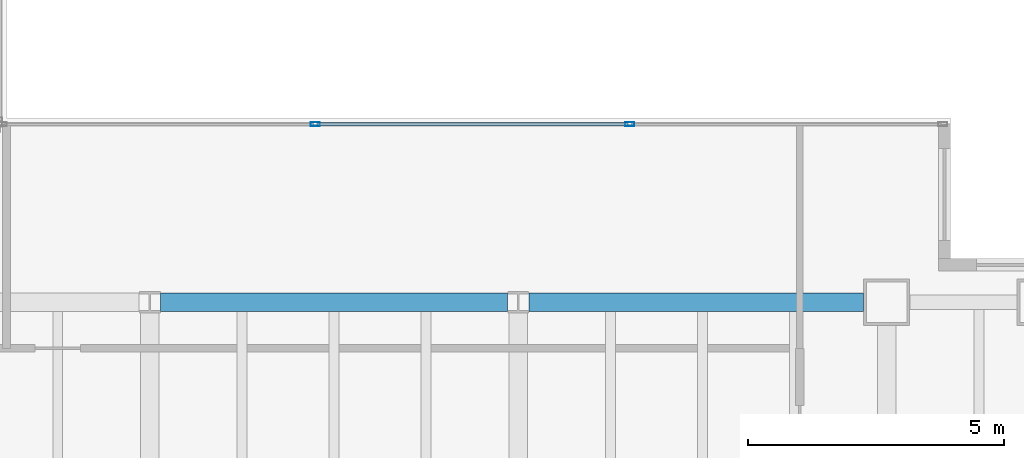
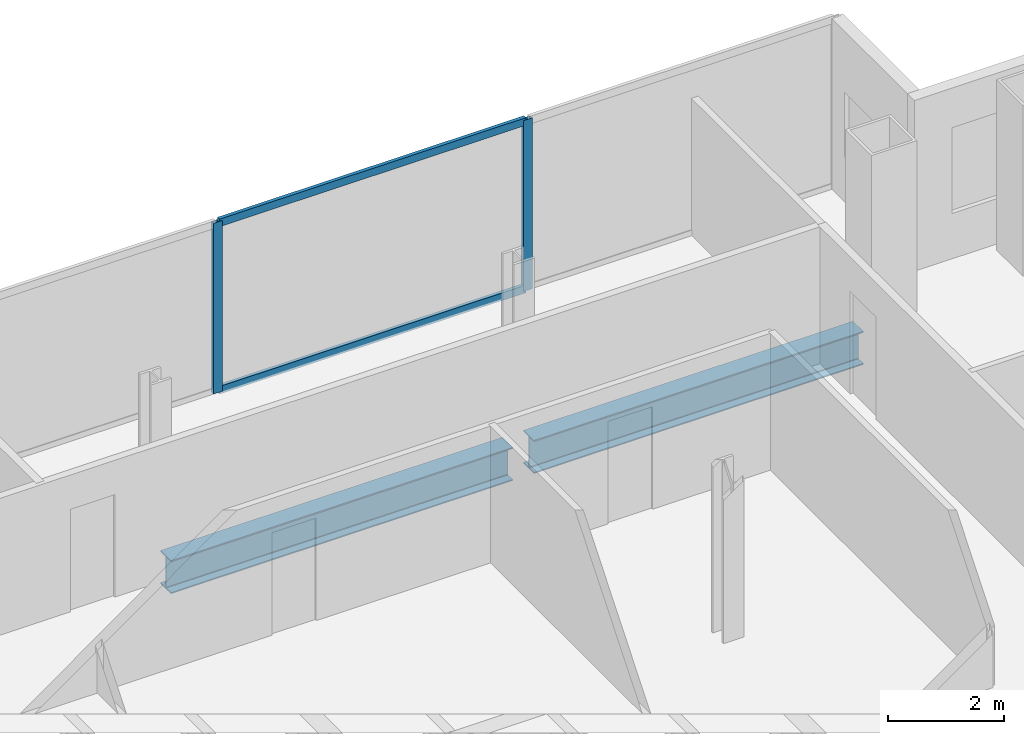
# One storey, part 14 of 24: 4 members, 2 beams, 1 element without a shape of its own.
"""IFC4 building model written with IfcOpenShell, lengths in metres."""

from ifc_helpers import new_model, si_unit, direction, frame, origin, origin_2d, place, context, subcontext, project, spatial, hollow_rectangle, i_section, extrude, material, material_profile, profile_set, type_object, element, aggregate, save


model = new_model("IFC4")

# Units and contexts
model_context = context("Model", 3, precision=1e-05, world=origin(), true_north=direction((0.0, 1.0)))
body_context = subcontext(model_context, "Body", "Model", "MODEL_VIEW")
ifc_project = project(units=[si_unit("LENGTHUNIT", "METRE"), si_unit("AREAUNIT", "SQUARE_METRE"), si_unit("VOLUMEUNIT", "CUBIC_METRE"), si_unit("PLANEANGLEUNIT", "RADIAN"), si_unit("MASSUNIT", "GRAM", prefix="KILO")], contexts=[model_context])

# Site, building, storey
site_placement = place(None, origin())
site = spatial("IfcSite", under=ifc_project, at=site_placement, CompositionType="ELEMENT")
building_placement = place(site_placement, origin())
building = spatial("IfcBuilding", under=site, at=building_placement, Name="Cobrela Telecom Tower", CompositionType="ELEMENT")
storey_placement = place(building_placement, frame((0.0, 0.0, 121.449951171875)))
storey = spatial("IfcBuildingStorey", under=building, at=storey_placement, Name="L30", CompositionType="ELEMENT", Elevation=121.449951171875)

# Beams
ifc_material_1 = material(Name="Steel ASTM A992 Grade 50", Category="steel")
ifc_material_profile_1 = material_profile(ifc_material_1, i_section(OverallWidth=0.35595703125, OverallDepth=0.696044921875, WebThickness=0.015380859375, FlangeThickness=0.024658203125, FilletRadius=0.01806640625, at=origin_2d()), Name="W27X146")
ifc_profile_set_1 = profile_set([ifc_material_profile_1], Name="Steel ASTM A992 Grade 50")
beam_type = type_object("IfcBeamType", Name="BM-GIRD-05", PredefinedType="USERDEFINED", material=ifc_profile_set_1)
beam_1_placement = place(storey_placement, frame((29.009521484375, 21.60009765625, -0.617919921875), z_axis=(1.0, 0.0, 0.0), x_axis=(0.0, 1.0, 0.0)))
element("IfcBeam", 1, at=beam_1_placement, inside=storey, type_object=beam_type, Name="L30 Primary Girder X20", ObjectType="GIRDER", PredefinedType="USERDEFINED", context=body_context, shape_type="SweptSolid", body=[
    extrude(i_section(OverallWidth=0.35595703125, OverallDepth=0.696044921875, WebThickness=0.015380859375, FlangeThickness=0.024658203125, FilletRadius=0.01806640625, at=origin_2d()), origin(), (0.0, 0.0, 1.0), 6.781005859375),
])
beam_2_placement = place(storey_placement, frame((36.20947265625, 21.60009765625, -0.617919921875), z_axis=(1.0, 0.0, 0.0), x_axis=(0.0, 1.0, 0.0)))
element("IfcBeam", 2, at=beam_2_placement, inside=storey, type_object=beam_type, Name="L30 Primary Girder X21", ObjectType="GIRDER", PredefinedType="USERDEFINED", context=body_context, shape_type="SweptSolid", body=[
    extrude(i_section(OverallWidth=0.35595703125, OverallDepth=0.696044921875, WebThickness=0.015380859375, FlangeThickness=0.024658203125, FilletRadius=0.01806640625, at=origin_2d()), origin(), (0.0, 0.0, 1.0), 6.53564453125),
])

# Curtain wall, members
ifc_material_2 = material(Name="Anodized Bronze Aluminium 6063-T6", Category="aluminium")
curtain_wall_type = type_object("IfcCurtainWallType", Name="CW-SYS-TEL", PredefinedType="USERDEFINED", material=ifc_material_2)
curtain_wall_placement = place(storey_placement, origin())
curtain_wall = element("IfcCurtainWall", 3, at=curtain_wall_placement, inside=storey, type_object=curtain_wall_type, Name="L30 Unitised Bronze Curtain Wall 11", ObjectType="UNITISED CURTAIN WALL", PredefinedType="USERDEFINED")
ifc_material_profile_2 = material_profile(ifc_material_2, hollow_rectangle(XDim=0.074951171875, YDim=0.179931640625, WallThickness=0.00390625, at=origin_2d()), Name="ALU 75x180x4")
ifc_profile_set_2 = profile_set([ifc_material_profile_2], Name="Anodized Bronze Aluminium 6063-T6")
member_type_1 = type_object("IfcMemberType", Name="CW-SYS-TEL-MUL", PredefinedType="MULLION", material=ifc_profile_set_2)
member_1_placement = place(storey_placement, frame((32.030029296875, 25.080078125, 0.0), z_axis=(0.0, 0.0, 1.0), x_axis=(0.0, 1.0, 0.0)))
member_1 = element("IfcMember", 4, at=member_1_placement, type_object=member_type_1, Name="CW-TEL mullion 2", PredefinedType="MULLION", context=body_context, shape_type="SweptSolid", body=[
    extrude(hollow_rectangle(XDim=0.074951171875, YDim=0.179931640625, WallThickness=0.00390625, at=origin_2d()), origin(), (0.0, 0.0, 1.0), 3.580078125),
])
member_2_placement = place(storey_placement, frame((38.179931640625, 25.080078125, 0.0), z_axis=(0.0, 0.0, 1.0), x_axis=(0.0, 1.0, 0.0)))
member_2 = element("IfcMember", 5, at=member_2_placement, type_object=member_type_1, Name="CW-TEL mullion 3", PredefinedType="MULLION", context=body_context, shape_type="SweptSolid", body=[
    extrude(hollow_rectangle(XDim=0.074951171875, YDim=0.179931640625, WallThickness=0.00390625, at=origin_2d()), origin(), (0.0, 0.0, 1.0), 3.580078125),
])
ifc_material_profile_3 = material_profile(ifc_material_2, hollow_rectangle(XDim=0.070068359375, YDim=0.159912109375, WallThickness=0.00390625, at=origin_2d()), Name="ALU 70x160x4")
ifc_profile_set_3 = profile_set([ifc_material_profile_3], Name="Anodized Bronze Aluminium 6063-T6")
member_type_2 = type_object("IfcMemberType", Name="CW-SYS-TEL-TRN", PredefinedType="USERDEFINED", material=ifc_profile_set_3)
member_3_placement = place(storey_placement, frame((32.0673828125, 25.080078125, 0.03515625), z_axis=(1.0, 0.0, 0.0), x_axis=(0.0, 1.0, 0.0)))
member_3 = element("IfcMember", 6, at=member_3_placement, type_object=member_type_2, Name="CW-TEL transom 2.1", ObjectType="TRANSOM", PredefinedType="USERDEFINED", context=body_context, shape_type="SweptSolid", body=[
    extrude(hollow_rectangle(XDim=0.070068359375, YDim=0.159912109375, WallThickness=0.00390625, at=origin_2d()), origin(), (0.0, 0.0, 1.0), 6.0751953125),
])
member_4_placement = place(storey_placement, frame((32.0673828125, 25.080078125, 3.545166015625), z_axis=(1.0, 0.0, 0.0), x_axis=(0.0, 1.0, 0.0)))
member_4 = element("IfcMember", 7, at=member_4_placement, type_object=member_type_2, Name="CW-TEL transom 2.2", ObjectType="TRANSOM", PredefinedType="USERDEFINED", context=body_context, shape_type="SweptSolid", body=[
    extrude(hollow_rectangle(XDim=0.070068359375, YDim=0.159912109375, WallThickness=0.00390625, at=origin_2d()), origin(), (0.0, 0.0, 1.0), 6.0751953125),
])
aggregate(curtain_wall, [member_1, member_2, member_3, member_4])

save(model, "model.ifc")
